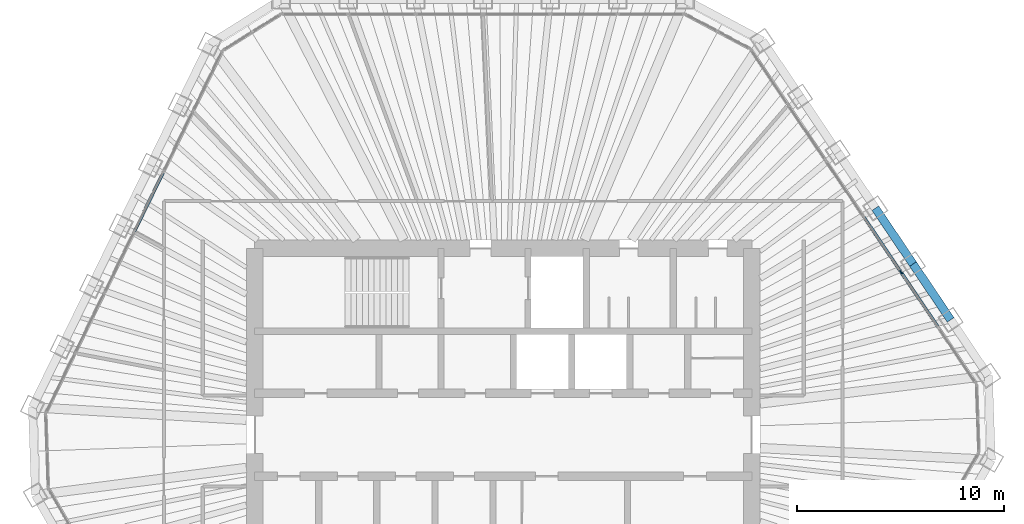
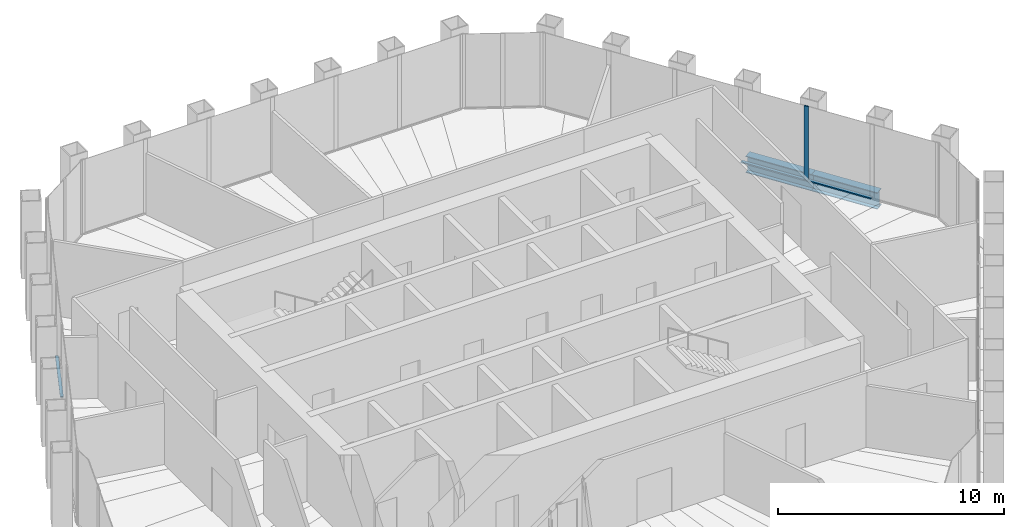
# One storey, part 6 of 14: 4 members, 2 beams, 2 elements without a shape of their own.
"""IFC4 building model written with IfcOpenShell, lengths in metres."""

from ifc_helpers import new_model, si_unit, direction, frame, origin, origin_2d, place, context, subcontext, project, spatial, rectangle, i_section, extrude, material, material_profile, profile_set, type_object, element, aggregate, save


model = new_model("IFC4")

# Units and contexts
model_context = context("Model", 3, precision=1e-05, world=origin(), true_north=direction((0.0, 1.0)))
body_context = subcontext(model_context, "Body", "Model", "MODEL_VIEW")
ifc_project = project(units=[si_unit("LENGTHUNIT", "METRE"), si_unit("AREAUNIT", "SQUARE_METRE"), si_unit("VOLUMEUNIT", "CUBIC_METRE"), si_unit("PLANEANGLEUNIT", "RADIAN"), si_unit("MASSUNIT", "GRAM", prefix="KILO")], contexts=[model_context])

# Site, building, storey
site_placement = place(None, origin())
site = spatial("IfcSite", under=ifc_project, at=site_placement, CompositionType="ELEMENT")
building_placement = place(site_placement, origin())
building = spatial("IfcBuilding", under=site, at=building_placement, Name="Qingtian Harvest Tower", CompositionType="ELEMENT")
storey_placement = place(building_placement, frame((0.0, 0.0, 308.199951171875)))
storey = spatial("IfcBuildingStorey", under=building, at=storey_placement, Name="L68", CompositionType="ELEMENT", Elevation=308.199951171875)

# Curtain wall, member
ifc_material_1 = material(Name="Bronze-anodised aluminium curtain wall", Category="aluminium")
curtain_wall_type = type_object("IfcCurtainWallType", Name="Curtain wall CW5 upper office", PredefinedType="USERDEFINED", material=ifc_material_1)
curtain_wall_1_placement = place(storey_placement, origin())
curtain_wall_1 = element("IfcCurtainWall", 1, at=curtain_wall_1_placement, inside=storey, type_object=curtain_wall_type, Name="Curtain wall CW5 L68 NE0-5", ObjectType="RECESSED CURTAIN WALL", PredefinedType="USERDEFINED")
ifc_material_2 = material(Name="Bronze-anodised aluminium mullion", Category="aluminium")
ifc_material_profile_1 = material_profile(ifc_material_2, rectangle(XDim=0.06494140625, YDim=0.199951171875, at=origin_2d()), Name="AL 65x200")
ifc_profile_set_1 = profile_set([ifc_material_profile_1], Name="Bronze-anodised aluminium mullion")
member_type_1 = type_object("IfcMemberType", Name="Mullion CWM 65x200", PredefinedType="MULLION", material=ifc_profile_set_1)
member_1_placement = place(storey_placement, frame((19.192626953125, 7.847900390625, 0.0), z_axis=(0.0, 0.0, 1.0), x_axis=(0.829037572555, 0.559192903471, 0.0)))
member_1 = element("IfcMember", 2, at=member_1_placement, type_object=member_type_1, Name="CW5 mullion 5", PredefinedType="MULLION", context=body_context, shape_type="SweptSolid", body=[
    extrude(rectangle(XDim=0.06494140625, YDim=0.199951171875, at=origin_2d()), origin(), (0.0, 0.0, 1.0), 4.030029296875),
])

# Beams
ifc_material_3 = material(Name="Steel SN490B", Category="steel")
ifc_material_profile_2 = material_profile(ifc_material_3, i_section(OverallWidth=0.39990234375, OverallDepth=0.89990234375, WebThickness=0.01904296875, FlangeThickness=0.035888671875, at=origin_2d()), Name="H900x400x19x36")
ifc_profile_set_2 = profile_set([ifc_material_profile_2], Name="Steel SN490B")
beam_type = type_object("IfcBeamType", Name="Spandrel beam SB4 H900x400x19x36", PredefinedType="SPANDREL", material=ifc_profile_set_2)
for number, where, z_axis, x_axis, name in (
    (3, (17.956787109375, 10.93212890625, -0.449951171875), (0.55915007887, -0.829066456504, 0.0), (0.829066456504, 0.55915007887, 0.0), "Spandrel SB4 NE3"),
    (4, (19.77294921875, 8.2392578125, -0.449951171875), (0.5592365864, -0.829008106372, 0.0), (0.829008106372, 0.5592365864, 0.0), "Spandrel SB4 NE4"),
):
    element("IfcBeam", number, at=place(storey_placement, frame(where, z_axis=z_axis, x_axis=x_axis)), inside=storey, type_object=beam_type, Name=name, PredefinedType="SPANDREL", context=body_context, shape_type="SweptSolid", body=[
        extrude(i_section(OverallWidth=0.39990234375, OverallDepth=0.89990234375, WebThickness=0.01904296875, FlangeThickness=0.035888671875, at=origin_2d()), origin(), (0.0, 0.0, 1.0), 3.248046875),
    ])

# Member
ifc_material_4 = material(Name="Bronze-anodised aluminium transom", Category="aluminium")
ifc_material_profile_3 = material_profile(ifc_material_4, rectangle(XDim=0.14990234375, YDim=0.06494140625, at=origin_2d()), Name="AL 65x150")
ifc_profile_set_3 = profile_set([ifc_material_profile_3], Name="Bronze-anodised aluminium transom")
member_type_2 = type_object("IfcMemberType", Name="Transom CWT 65x150", PredefinedType="USERDEFINED", material=ifc_profile_set_3)
member_2_placement = place(storey_placement, frame((17.39453125, 10.513671875, 0.032470703125), z_axis=(0.55920542009, -0.829029129852, 0.0), x_axis=(0.829029129852, 0.55920542009, 0.0)))
member_2 = element("IfcMember", 5, at=member_2_placement, type_object=member_type_2, Name="CW5 transom 4.1", ObjectType="TRANSOM", PredefinedType="USERDEFINED", context=body_context, shape_type="SweptSolid", body=[
    extrude(rectangle(XDim=0.14990234375, YDim=0.06494140625, at=origin_2d()), origin(), (0.0, 0.0, 1.0), 3.18310546875),
])

member_3_placement = place(storey_placement, frame((19.2109375, 7.821044921875, 0.032470703125), z_axis=(0.559152702955, -0.829064686727, 0.0), x_axis=(0.829064686727, 0.559152702955, 0.0)))
member_3 = element("IfcMember", 6, at=member_3_placement, type_object=member_type_2, Name="CW5 transom 5.1", ObjectType="TRANSOM", PredefinedType="USERDEFINED", context=body_context, shape_type="SweptSolid", body=[
    extrude(rectangle(XDim=0.14990234375, YDim=0.06494140625, at=origin_2d()), origin(), (0.0, 0.0, 1.0), 3.18310546875),
])

aggregate(curtain_wall_1, [member_1, member_2, member_3])

# Curtain wall, member
curtain_wall_2_placement = place(storey_placement, origin())
curtain_wall_2 = element("IfcCurtainWall", 7, at=curtain_wall_2_placement, inside=storey, type_object=curtain_wall_type, Name="Curtain wall CW5 L68 NW0-5", ObjectType="RECESSED CURTAIN WALL", PredefinedType="USERDEFINED")
member_4_placement = place(storey_placement, frame((-17.802490234375, 9.807373046875, 0.032470703125), z_axis=(0.438355626738, 0.898801615768, 0.0), x_axis=(-0.898801615768, 0.438355626738, 0.0)))
member_4 = element("IfcMember", 8, at=member_4_placement, type_object=member_type_2, Name="CW5 transom 4.1", ObjectType="TRANSOM", PredefinedType="USERDEFINED", context=body_context, shape_type="SweptSolid", body=[
    extrude(rectangle(XDim=0.14990234375, YDim=0.06494140625, at=origin_2d()), origin(), (0.0, 0.0, 1.0), 3.182861328125),
])
aggregate(curtain_wall_2, [member_4])

save(model, "model.ifc")
